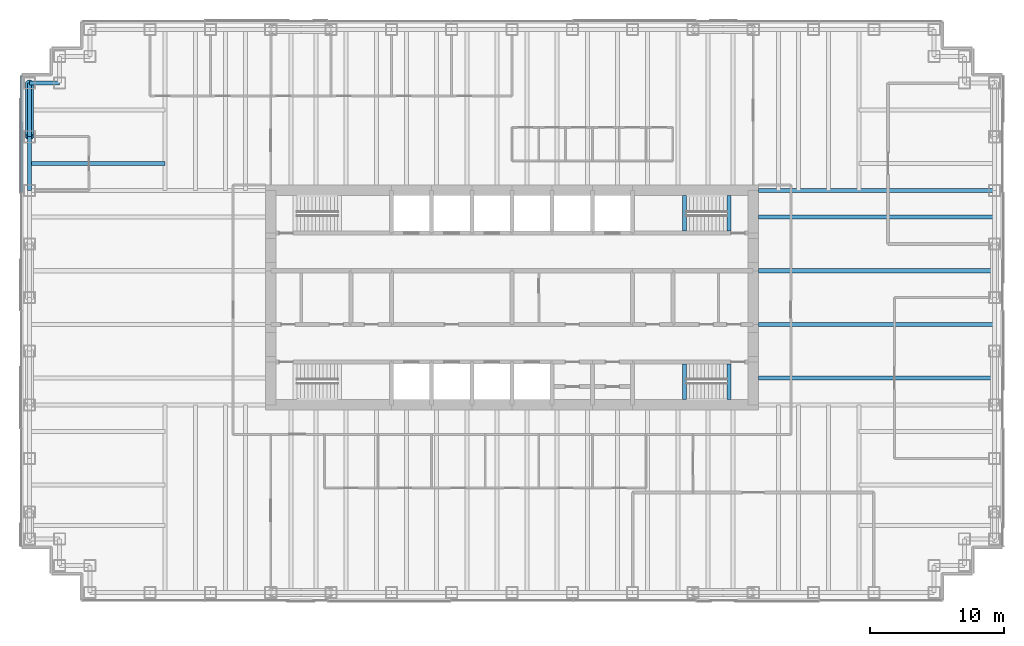
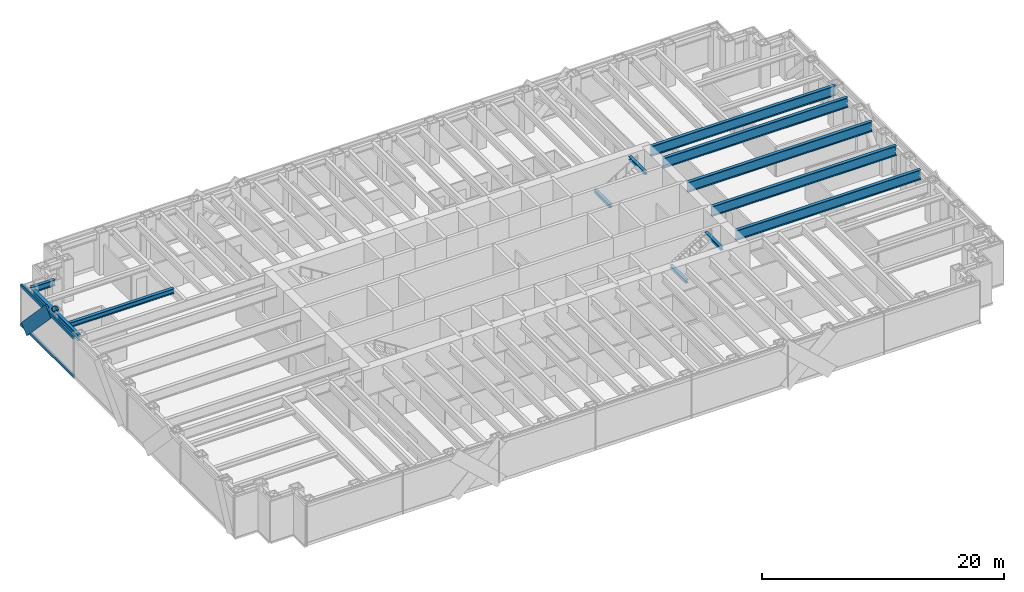
# One storey, part 4 of 15: 13 beams, 4 members, 1 element without a shape of its own.
"""IFC4 building model written with IfcOpenShell, lengths in metres."""

from ifc_helpers import new_model, si_unit, direction, frame, origin, origin_2d, place, context, subcontext, project, spatial, rectangle, hollow_circle, i_section, extrude, material, material_profile, profile_set, type_object, element, aggregate, save


model = new_model("IFC4")

# Units and contexts
model_context = context("Model", 3, precision=1e-05, world=origin(), true_north=direction((0.0, 1.0)))
body_context = subcontext(model_context, "Body", "Model", "MODEL_VIEW")
ifc_project = project(units=[si_unit("LENGTHUNIT", "METRE"), si_unit("AREAUNIT", "SQUARE_METRE"), si_unit("VOLUMEUNIT", "CUBIC_METRE"), si_unit("PLANEANGLEUNIT", "RADIAN"), si_unit("MASSUNIT", "GRAM", prefix="KILO")], contexts=[model_context])

# Site, building, storey
site_placement = place(None, origin())
site = spatial("IfcSite", under=ifc_project, at=site_placement, CompositionType="ELEMENT")
building_placement = place(site_placement, origin())
building = spatial("IfcBuilding", under=site, at=building_placement, Name="Rheinbord Bourse Tower", CompositionType="ELEMENT")
storey_placement = place(building_placement, frame((0.0, 0.0, 257.199951171875)))
storey = spatial("IfcBuildingStorey", under=building, at=storey_placement, Name="L58", CompositionType="ELEMENT", Elevation=257.199951171875)

# Curtain wall, members
ifc_material_1 = material(Name="Dark glass and black aluminium", Category="aluminium")
curtain_wall_type = type_object("IfcCurtainWallType", Name="CW2 DARK GLASS CURTAIN WALL", PredefinedType="USERDEFINED", material=ifc_material_1)
curtain_wall_placement = place(storey_placement, origin())
curtain_wall = element("IfcCurtainWall", 1, at=curtain_wall_placement, inside=storey, type_object=curtain_wall_type, Name="Curtain wall CW2 W L58", ObjectType="UNITISED CURTAIN WALL", PredefinedType="USERDEFINED")
ifc_material_2 = material(Name="Black anodised aluminium", Category="aluminium")
ifc_material_profile_1 = material_profile(ifc_material_2, rectangle(XDim=0.159912109375, YDim=1.2099609375, at=origin_2d()), Name="CW2 DIAGONAL MULLION 1210x160")
ifc_profile_set_1 = profile_set([ifc_material_profile_1], Name="Black anodised aluminium")
member_type_1 = type_object("IfcMemberType", Name="CW2 BLACK DIAGONAL MULLION", PredefinedType="USERDEFINED", material=ifc_profile_set_1)
member_1_placement = place(storey_placement, frame((-0.60009765625, 40.0, 0.0), z_axis=(0.0, -0.689659376744, 0.724133926887), x_axis=(1.0, 0.0, 0.0)))
member_1 = element("IfcMember", 2, at=member_1_placement, type_object=member_type_1, Name="CW2 diagonal mullion c", ObjectType="DIAGONAL MULLION", PredefinedType="USERDEFINED", context=body_context, shape_type="SweptSolid", body=[
    extrude(rectangle(XDim=0.159912109375, YDim=1.2099609375, at=origin_2d()), origin(), (0.0, 0.0, 1.0), 5.800048828125),
])
ifc_material_3 = material(Name="Black anodised aluminium", Category="aluminium")
ifc_material_profile_2 = material_profile(ifc_material_3, rectangle(XDim=0.159912109375, YDim=0.300048828125, at=origin_2d()), Name="CW2 TRANSOM 300x160")
ifc_profile_set_2 = profile_set([ifc_material_profile_2], Name="Black anodised aluminium")
member_type_2 = type_object("IfcMemberType", Name="CW2 BLACK TRANSOM", PredefinedType="USERDEFINED", material=ifc_profile_set_2)
member_2_placement = place(storey_placement, frame((-0.60009765625, 40.530029296875, 0.150146484375), z_axis=(0.0, -1.0, 0.0), x_axis=(1.0, 0.0, 0.0)))
member_2 = element("IfcMember", 3, at=member_2_placement, type_object=member_type_2, Name="CW2 transom 1.1", ObjectType="TRANSOM", PredefinedType="USERDEFINED", context=body_context, shape_type="SweptSolid", body=[
    extrude(rectangle(XDim=0.159912109375, YDim=0.300048828125, at=origin_2d()), origin(), (0.0, 0.0, 1.0), 8.695068359375),
])
member_3_placement = place(storey_placement, frame((-0.60009765625, 40.530029296875, 4.050048828125), z_axis=(0.0, -1.0, 0.0), x_axis=(1.0, 0.0, 0.0)))
member_3 = element("IfcMember", 4, at=member_3_placement, type_object=member_type_2, Name="CW2 transom 1.2", ObjectType="TRANSOM", PredefinedType="USERDEFINED", context=body_context, shape_type="SweptSolid", body=[
    extrude(rectangle(XDim=0.159912109375, YDim=0.300048828125, at=origin_2d()), origin(), (0.0, 0.0, 1.0), 8.695068359375),
])
aggregate(curtain_wall, [member_2, member_3, member_1])

# Beams
ifc_material_4 = material(Name="Steel S460", Category="steel")
ifc_material_profile_3 = material_profile(ifc_material_4, i_section(OverallWidth=0.302001953125, OverallDepth=1.008056640625, WebThickness=0.02099609375, FlangeThickness=0.0400390625, at=origin_2d()), Name="HEM 1000")
ifc_profile_set_3 = profile_set([ifc_material_profile_3], Name="Steel S460")
beam_type_1 = type_object("IfcBeamType", Name="END BEAM HEM 1000", PredefinedType="BEAM", material=ifc_profile_set_3)
for number, where, z_axis, x_axis, name in (
    (5, (54.39990234375, 18.0, 3.5361328125), (1.0, 0.0, 0.0), (0.0, 1.0, 0.0), "End beam east 18 L59"),
    (6, (54.39990234375, 22.0, 3.5361328125), (1.0, 0.0, 0.0), (0.0, 1.0, 0.0), "End beam east 22 L59"),
    (7, (54.39990234375, 26.0, 3.5361328125), (1.0, 0.0, 0.0), (0.0, 1.0, 0.0), "End beam east 26 L59"),
    (8, (54.39990234375, 30.0, 3.5361328125), (1.0, 0.0, 0.0), (0.0, 1.0, 0.0), "End beam east 30 L59"),
):
    element("IfcBeam", number, at=place(storey_placement, frame(where, z_axis=z_axis, x_axis=x_axis)), inside=storey, type_object=beam_type_1, Name=name, PredefinedType="BEAM", context=body_context, shape_type="SweptSolid", body=[
        extrude(i_section(OverallWidth=0.302001953125, OverallDepth=1.008056640625, WebThickness=0.02099609375, FlangeThickness=0.0400390625, at=origin_2d()), origin(), (0.0, 0.0, 1.0), 17.60009765625),
    ])
ifc_material_5 = material(Name="Steel S460", Category="steel")
ifc_material_profile_4 = material_profile(ifc_material_5, i_section(OverallWidth=0.302001953125, OverallDepth=1.008056640625, WebThickness=0.02099609375, FlangeThickness=0.0400390625, at=origin_2d()), Name="HEM 1000")
ifc_profile_set_4 = profile_set([ifc_material_profile_4], Name="Steel S460")
beam_type_2 = type_object("IfcBeamType", Name="GIRDER HEM 1000", PredefinedType="BEAM", material=ifc_profile_set_4)
beam_1_placement = place(storey_placement, frame((54.39990234375, 32.0, 3.5361328125), z_axis=(1.0, 0.0, 0.0), x_axis=(0.0, 1.0, 0.0)))
element("IfcBeam", 9, at=beam_1_placement, inside=storey, type_object=beam_type_2, Name="Girder east 32 L59", PredefinedType="BEAM", context=body_context, shape_type="SweptSolid", body=[
    extrude(i_section(OverallWidth=0.302001953125, OverallDepth=1.008056640625, WebThickness=0.02099609375, FlangeThickness=0.0400390625, at=origin_2d()), origin(), (0.0, 0.0, 1.0), 17.60009765625),
])
ifc_material_6 = material(Name="Steel S460", Category="steel")
ifc_material_profile_5 = material_profile(ifc_material_6, i_section(OverallWidth=0.300048828125, OverallDepth=0.300048828125, WebThickness=0.010986328125, FlangeThickness=0.01904296875, at=origin_2d()), Name="HEB 300")
ifc_profile_set_5 = profile_set([ifc_material_profile_5], Name="Steel S460")
beam_type_3 = type_object("IfcBeamType", Name="LANDING TRIMMER HEB 300", PredefinedType="BEAM", material=ifc_profile_set_5)
for number, where, z_axis, x_axis, name in (
    (10, (48.8701171875, 16.39990234375, 1.75), (0.0, 1.0, 0.0), (-1.0, 0.0, 0.0), "Landing trimmer ST3 L58"),
    (11, (52.199951171875, 16.39990234375, 3.89013671875), (0.0, 1.0, 0.0), (-1.0, 0.0, 0.0), "Well trimmer ST3 under L59"),
    (12, (48.8701171875, 28.949951171875, 1.75), (0.0, 1.0, 0.0), (-1.0, 0.0, 0.0), "Landing trimmer ST4 L58"),
    (13, (52.199951171875, 28.949951171875, 3.89013671875), (0.0, 1.0, 0.0), (-1.0, 0.0, 0.0), "Well trimmer ST4 under L59"),
):
    element("IfcBeam", number, at=place(storey_placement, frame(where, z_axis=z_axis, x_axis=x_axis)), inside=storey, type_object=beam_type_3, Name=name, PredefinedType="BEAM", context=body_context, shape_type="SweptSolid", body=[
        extrude(i_section(OverallWidth=0.300048828125, OverallDepth=0.300048828125, WebThickness=0.010986328125, FlangeThickness=0.01904296875, at=origin_2d()), origin(), (0.0, 0.0, 1.0), 2.650146484375),
    ])

# Member
ifc_material_7 = material(Name="Steel S460", Category="steel")
ifc_material_profile_6 = material_profile(ifc_material_7, hollow_circle(Radius=0.304931640625, WallThickness=0.0400390625, at=origin_2d()), Name="CHS 610x40")
ifc_profile_set_6 = profile_set([ifc_material_profile_6], Name="Steel S460")
member_type_3 = type_object("IfcMemberType", Name="MEGABRACE CHS 610x40", PredefinedType="BRACE", material=ifc_profile_set_6)
member_4_placement = place(storey_placement, frame((0.0, 40.0, 0.0), z_axis=(0.0, -0.689659376744, 0.724133926887), x_axis=(1.0, 0.0, 0.0)))
element("IfcMember", 14, at=member_4_placement, inside=storey, type_object=member_type_3, Name="Megabrace W face line c L58", PredefinedType="BRACE", context=body_context, shape_type="SweptSolid", body=[
    extrude(hollow_circle(Radius=0.304931640625, WallThickness=0.0400390625, at=origin_2d()), origin(), (0.0, 0.0, 1.0), 5.800048828125),
])

# Beams
ifc_material_8 = material(Name="Steel S460", Category="steel")
ifc_material_profile_7 = material_profile(ifc_material_8, i_section(OverallWidth=0.300048828125, OverallDepth=0.60009765625, WebThickness=0.015380859375, FlangeThickness=0.030029296875, at=origin_2d()), Name="HEB 600")
ifc_profile_set_7 = profile_set([ifc_material_profile_7], Name="Steel S460")
beam_type_4 = type_object("IfcBeamType", Name="SPANDREL HEB 600", PredefinedType="SPANDREL", material=ifc_profile_set_7)
beam_2_placement = place(storey_placement, frame((2.25, 40.0, 3.739990234375), z_axis=(-1.0, 0.0, 0.0), x_axis=(0.0, -1.0, 0.0)))
element("IfcBeam", 15, at=beam_2_placement, inside=storey, type_object=beam_type_4, Name="Spandrel NW-B-NW-A under L59", PredefinedType="SPANDREL", context=body_context, shape_type="SweptSolid", body=[
    extrude(i_section(OverallWidth=0.300048828125, OverallDepth=0.60009765625, WebThickness=0.015380859375, FlangeThickness=0.030029296875, at=origin_2d()), origin(), (0.0, 0.0, 1.0), 2.25),
])
for number, where, z_axis, x_axis, name in (
    (16, (0.0, 40.0, 3.739990234375), (0.0, -1.0, 0.0), (1.0, 0.0, 0.0), "Spandrel NW-A-W-36 under L59"),
    (17, (0.0, 36.0, 3.739990234375), (0.0, -1.0, 0.0), (1.0, 0.0, 0.0), "Spandrel W-36-W-32 under L59"),
):
    element("IfcBeam", number, at=place(storey_placement, frame(where, z_axis=z_axis, x_axis=x_axis)), inside=storey, type_object=beam_type_4, Name=name, PredefinedType="SPANDREL", context=body_context, shape_type="SweptSolid", body=[
        extrude(i_section(OverallWidth=0.300048828125, OverallDepth=0.60009765625, WebThickness=0.015380859375, FlangeThickness=0.030029296875, at=origin_2d()), origin(), (0.0, 0.0, 1.0), 4.0),
    ])
ifc_material_9 = material(Name="Steel S460", Category="steel")
ifc_material_profile_8 = material_profile(ifc_material_9, i_section(OverallWidth=0.300048828125, OverallDepth=0.5, WebThickness=0.014404296875, FlangeThickness=0.028076171875, at=origin_2d()), Name="HEB 500")
ifc_profile_set_8 = profile_set([ifc_material_profile_8], Name="Steel S460")
beam_type_5 = type_object("IfcBeamType", Name="TIE BEAM HEB 500", PredefinedType="JOIST", material=ifc_profile_set_8)
beam_3_placement = place(storey_placement, frame((0.0, 34.0, 3.7900390625), z_axis=(1.0, 0.0, 0.0), x_axis=(0.0, 1.0, 0.0)))
element("IfcBeam", 18, at=beam_3_placement, inside=storey, type_object=beam_type_5, Name="Tie west 34 L59", PredefinedType="JOIST", context=body_context, shape_type="SweptSolid", body=[
    extrude(i_section(OverallWidth=0.300048828125, OverallDepth=0.5, WebThickness=0.014404296875, FlangeThickness=0.028076171875, at=origin_2d()), origin(), (0.0, 0.0, 1.0), 10.125),
])

save(model, "model.ifc")
